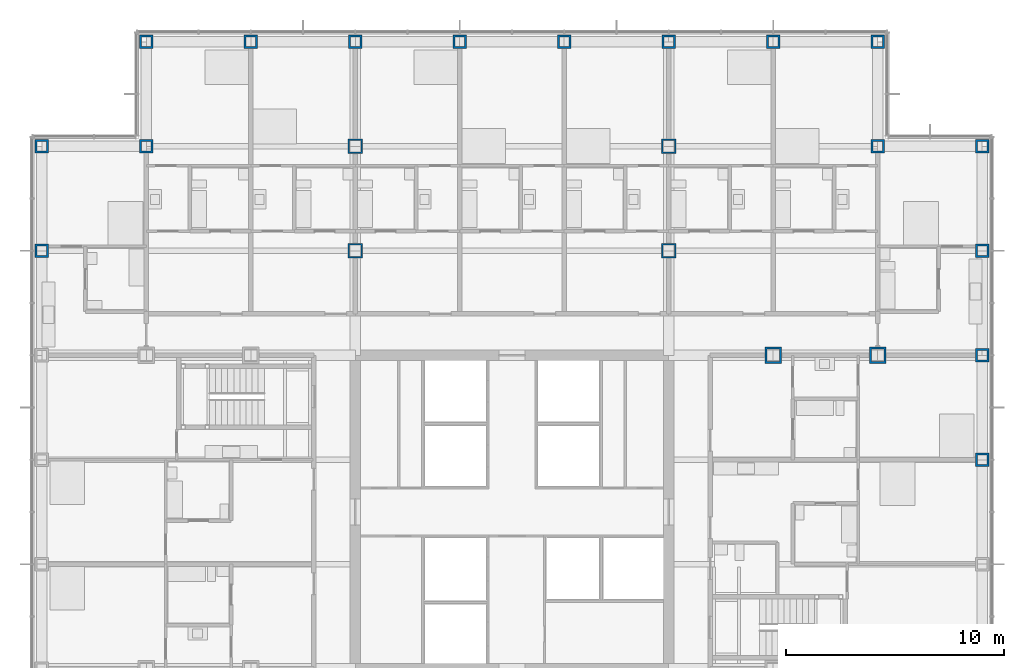
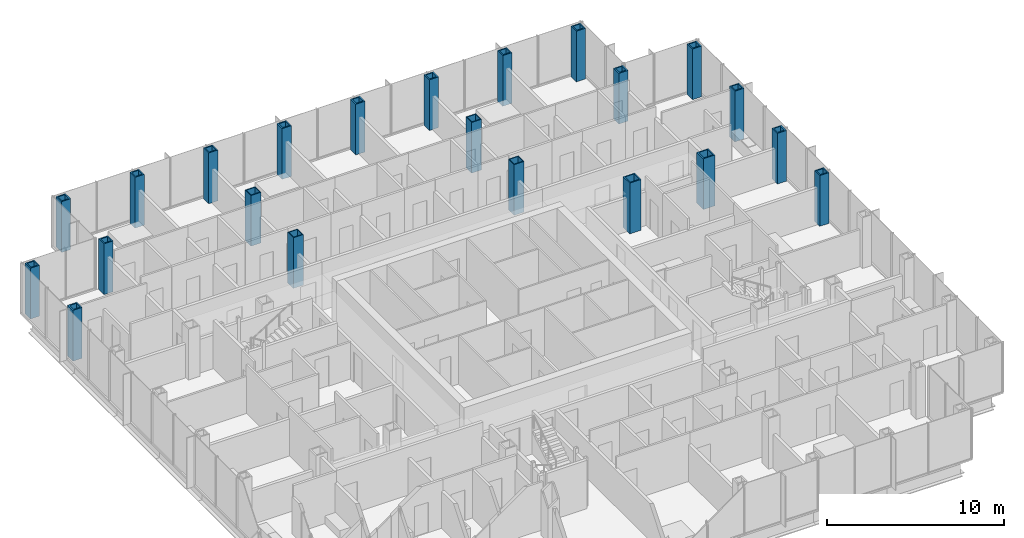
# One storey, part 5 of 22: 22 columns.
"""IFC4 building model written with IfcOpenShell, lengths in metres."""

from ifc_helpers import new_model, si_unit, direction, frame, origin, origin_2d, place, context, subcontext, project, spatial, hollow_rectangle, extrude, material, material_profile, profile_set, type_object, element, save


model = new_model("IFC4")

# Units and contexts
model_context = context("Model", 3, precision=1e-05, world=origin(), true_north=direction((0.0, 1.0)))
body_context = subcontext(model_context, "Body", "Model", "MODEL_VIEW")
ifc_project = project(units=[si_unit("LENGTHUNIT", "METRE"), si_unit("AREAUNIT", "SQUARE_METRE"), si_unit("VOLUMEUNIT", "CUBIC_METRE"), si_unit("PLANEANGLEUNIT", "RADIAN"), si_unit("MASSUNIT", "GRAM", prefix="KILO")], contexts=[model_context])

# Site, building, storey
site_placement = place(None, origin())
site = spatial("IfcSite", under=ifc_project, at=site_placement, CompositionType="ELEMENT")
building_placement = place(site_placement, origin())
building = spatial("IfcBuilding", under=site, at=building_placement, Name="Kvirike Care Tower", CompositionType="ELEMENT")
storey_placement = place(building_placement, frame((0.0, 0.0, 72.5)))
storey = spatial("IfcBuildingStorey", under=building, at=storey_placement, Name="L19", CompositionType="ELEMENT", Elevation=72.5)

# Columns
ifc_material_1 = material(Name="Steel S460", Category="steel")
ifc_material_profile_1 = material_profile(ifc_material_1, hollow_rectangle(XDim=0.60009765625, YDim=0.60009765625, WallThickness=0.080078125, at=origin_2d()), Name="BX 600x600x80")
ifc_profile_set_1 = profile_set([ifc_material_profile_1], Name="Steel S460")
column_type_1 = type_object("IfcColumnType", Name="COLUMN BX 600x600x80", PredefinedType="COLUMN", material=ifc_profile_set_1)
for number, where, z_axis, x_axis, name in (
    (1, (0.0, 48.0, 0.0), (0.0, 0.0, 1.0), (1.0, 0.0, 0.0), "Column L3 L19"),
    (2, (0.0, 52.800048828125, 0.0), (0.0, 0.0, 1.0), (0.0, 1.0, 0.0), "Column M3 L19"),
    (3, (4.800048828125, 52.800048828125, 0.0), (0.0, 0.0, 1.0), (0.0, 1.0, 0.0), "Column M4 L19"),
    (4, (4.800048828125, 57.60009765625, 0.0), (0.0, 0.0, 1.0), (0.0, 1.0, 0.0), "Column N4 L19"),
    (5, (9.60009765625, 57.60009765625, 0.0), (0.0, 0.0, 1.0), (0.0, 1.0, 0.0), "Column N5 L19"),
    (6, (14.39990234375, 57.60009765625, 0.0), (0.0, 0.0, 1.0), (0.0, 1.0, 0.0), "Column N6 L19"),
    (7, (19.199951171875, 57.60009765625, 0.0), (0.0, 0.0, 1.0), (0.0, 1.0, 0.0), "Column N7 L19"),
    (8, (24.0, 57.60009765625, 0.0), (0.0, 0.0, 1.0), (0.0, 1.0, 0.0), "Column N8 L19"),
    (9, (28.800048828125, 57.60009765625, 0.0), (0.0, 0.0, 1.0), (0.0, 1.0, 0.0), "Column N9 L19"),
    (10, (33.60009765625, 57.60009765625, 0.0), (0.0, 0.0, 1.0), (0.0, 1.0, 0.0), "Column N10 L19"),
    (11, (38.39990234375, 52.800048828125, 0.0), (0.0, 0.0, 1.0), (0.0, 1.0, 0.0), "Column M11 L19"),
    (12, (38.39990234375, 57.60009765625, 0.0), (0.0, 0.0, 1.0), (0.0, 1.0, 0.0), "Column N11 L19"),
    (13, (43.199951171875, 38.39990234375, 0.0), (0.0, 0.0, 1.0), (1.0, 0.0, 0.0), "Column J12 L19"),
    (14, (43.199951171875, 43.199951171875, 0.0), (0.0, 0.0, 1.0), (0.0, 1.0, 0.0), "Column K12 L19"),
    (15, (43.199951171875, 48.0, 0.0), (0.0, 0.0, 1.0), (1.0, 0.0, 0.0), "Column L12 L19"),
    (16, (43.199951171875, 52.800048828125, 0.0), (0.0, 0.0, 1.0), (0.0, 1.0, 0.0), "Column M12 L19"),
):
    element("IfcColumn", number, at=place(storey_placement, frame(where, z_axis=z_axis, x_axis=x_axis)), inside=storey, type_object=column_type_1, Name=name, PredefinedType="COLUMN", context=body_context, shape_type="SweptSolid", body=[
        extrude(hollow_rectangle(XDim=0.60009765625, YDim=0.60009765625, WallThickness=0.080078125, at=origin_2d()), origin(), (0.0, 0.0, 1.0), 3.5),
    ])
ifc_material_2 = material(Name="Steel S460", Category="steel")
ifc_material_profile_2 = material_profile(ifc_material_2, hollow_rectangle(XDim=0.64990234375, YDim=0.64990234375, WallThickness=0.050048828125, at=origin_2d()), Name="BX 650x650x50")
ifc_profile_set_2 = profile_set([ifc_material_profile_2], Name="Steel S460")
column_type_2 = type_object("IfcColumnType", Name="COLUMN BX 650x650x50", PredefinedType="COLUMN", material=ifc_profile_set_2)
for number, where, z_axis, x_axis, name in (
    (17, (14.39990234375, 48.0, 0.0), (0.0, 0.0, 1.0), (1.0, 0.0, 0.0), "Column L6 L19"),
    (18, (14.39990234375, 52.800048828125, 0.0), (0.0, 0.0, 1.0), (1.0, 0.0, 0.0), "Column M6 L19"),
    (19, (28.800048828125, 48.0, 0.0), (0.0, 0.0, 1.0), (1.0, 0.0, 0.0), "Column L9 L19"),
    (20, (28.800048828125, 52.800048828125, 0.0), (0.0, 0.0, 1.0), (1.0, 0.0, 0.0), "Column M9 L19"),
):
    element("IfcColumn", number, at=place(storey_placement, frame(where, z_axis=z_axis, x_axis=x_axis)), inside=storey, type_object=column_type_2, Name=name, PredefinedType="COLUMN", context=body_context, shape_type="SweptSolid", body=[
        extrude(hollow_rectangle(XDim=0.64990234375, YDim=0.64990234375, WallThickness=0.050048828125, at=origin_2d()), origin(), (0.0, 0.0, 1.0), 3.5),
    ])
ifc_material_3 = material(Name="Steel S460", Category="steel")
ifc_material_profile_3 = material_profile(ifc_material_3, hollow_rectangle(XDim=0.75, YDim=0.75, WallThickness=0.080078125, at=origin_2d()), Name="BX 750x750x80")
ifc_profile_set_3 = profile_set([ifc_material_profile_3], Name="Steel S460")
column_type_3 = type_object("IfcColumnType", Name="COLUMN BX 750x750x80", PredefinedType="COLUMN", material=ifc_profile_set_3)
for number, where, z_axis, x_axis, name in (
    (21, (33.60009765625, 43.199951171875, 0.0), (0.0, 0.0, 1.0), (0.0, 1.0, 0.0), "Column K10 L19"),
    (22, (38.39990234375, 43.199951171875, 0.0), (0.0, 0.0, 1.0), (0.0, 1.0, 0.0), "Column K11 L19"),
):
    element("IfcColumn", number, at=place(storey_placement, frame(where, z_axis=z_axis, x_axis=x_axis)), inside=storey, type_object=column_type_3, Name=name, PredefinedType="COLUMN", context=body_context, shape_type="SweptSolid", body=[
        extrude(hollow_rectangle(XDim=0.75, YDim=0.75, WallThickness=0.080078125, at=origin_2d()), origin(), (0.0, 0.0, 1.0), 3.5),
    ])

save(model, "model.ifc")
